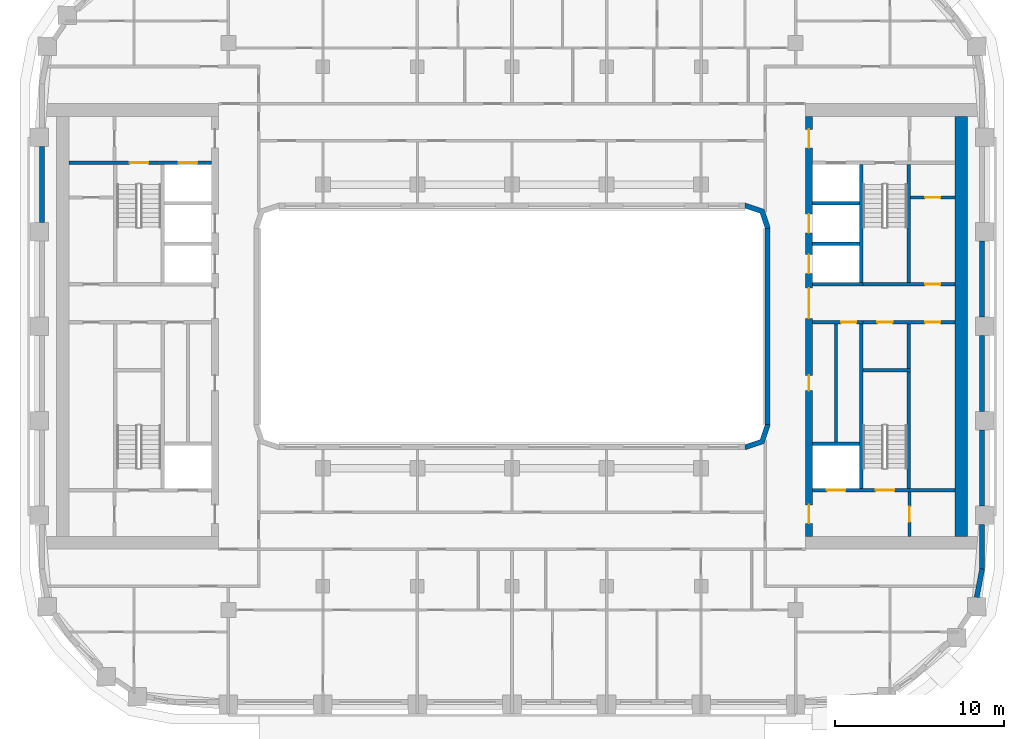
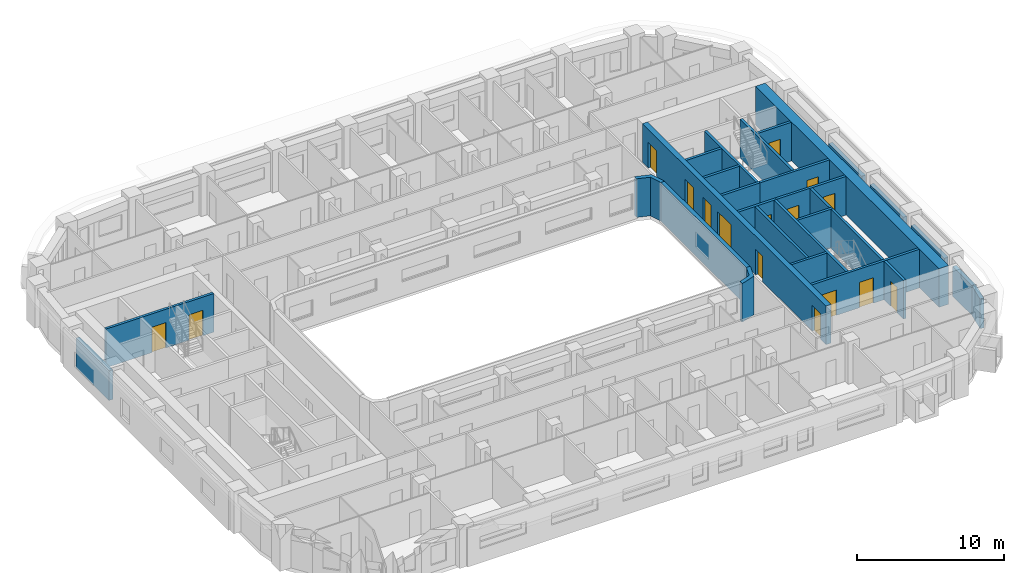
# One storey, part 6 of 22: 29 walls, 16 doors, 16 openings.
"""IFC4 building model written with IfcOpenShell, lengths in metres."""

from ifc_helpers import new_model, si_unit, direction, frame, frame_2d, origin, place, context, subcontext, project, spatial, polyline, rectangle, outline, extrude, material, layer, layer_set, type_object, element, fill, save


model = new_model("IFC4")

# Units and contexts
model_context = context("Model", 3, precision=1e-05, world=origin(), true_north=direction((0.0, 1.0)))
body_context = subcontext(model_context, "Body", "Model", "MODEL_VIEW")
ifc_project = project(units=[si_unit("LENGTHUNIT", "METRE"), si_unit("AREAUNIT", "SQUARE_METRE"), si_unit("VOLUMEUNIT", "CUBIC_METRE"), si_unit("PLANEANGLEUNIT", "RADIAN"), si_unit("MASSUNIT", "GRAM", prefix="KILO")], contexts=[model_context])

# Site, building, storey
site_placement = place(None, origin())
site = spatial("IfcSite", under=ifc_project, at=site_placement, CompositionType="ELEMENT")
building_placement = place(site_placement, origin())
building = spatial("IfcBuilding", under=site, at=building_placement, Name="Kiln Ring Residences", CompositionType="ELEMENT")
storey_placement = place(building_placement, frame((0.0, 0.0, 139.60009765625)))
storey = spatial("IfcBuildingStorey", under=building, at=storey_placement, Name="L35", CompositionType="ELEMENT", Elevation=139.60009765625)

# Wall
ifc_material_1 = material(Name="Gypsum board on steel studs", Category="steel")
ifc_layer_1 = layer(ifc_material_1, 0.199951171875)
ifc_layer_set_1 = layer_set([ifc_layer_1], Name="CORE-PARTITION-200")
wall_type_1 = type_object("IfcWallType", Name="CORE-PARTITION-200", PredefinedType="PARTITIONING", material=ifc_layer_set_1)
wall_1_placement = place(storey_placement, frame((23.5, -2.5, 0.0), z_axis=(0.0, 0.0, 1.0), x_axis=(0.0, 1.0, 0.0)))
element("IfcWall", 1, at=wall_1_placement, inside=storey, type_object=wall_type_1, Name="Core partition east L35 1", PredefinedType="PARTITIONING", context=body_context, shape_type="SweptSolid", body=[
    extrude(rectangle(XDim=2.64990234375, YDim=0.199951171875, at=frame_2d((1.324951171875, 0.0))), origin(), (0.0, 0.0, 1.0), 3.199951171875),
])

# Wall, openings, doors
wall_2_placement = place(storey_placement, frame((20.800048828125, 0.25, 0.0), z_axis=(0.0, 0.0, 1.0), x_axis=(1.0, 0.0, 0.0)))
wall_2 = element("IfcWall", 2, at=wall_2_placement, inside=storey, type_object=wall_type_1, Name="Core partition east L35 2", PredefinedType="PARTITIONING", context=body_context, shape_type="SweptSolid", body=[
    extrude(rectangle(XDim=5.449951171875, YDim=0.199951171875, at=frame_2d((2.72509765625, 0.0))), origin(), (0.0, 0.0, 1.0), 3.199951171875),
])
opening_1_placement = place(wall_2_placement, frame((0.85009765625, 0.0, 0.0)))
opening_1 = element("IfcOpeningElement", 3, at=opening_1_placement, cuts=wall_2, Name="Opening L35-CE14", PredefinedType="OPENING", context=body_context, shape_type="SweptSolid", body=[
    extrude(rectangle(XDim=0.89990234375, YDim=2.10009765625, at=frame_2d((0.449951171875, 1.050048828125))), frame((0.0, 0.10986328125, 0.0), z_axis=(0.0, -1.0, 0.0), x_axis=(1.0, 0.0, 0.0)), (0.0, 0.0, 1.0), 0.219970703125),
])
opening_2_placement = place(wall_2_placement, frame((3.675048828125, 0.0, 0.0)))
opening_2 = element("IfcOpeningElement", 4, at=opening_2_placement, cuts=wall_2, Name="Opening L35-CE15", PredefinedType="OPENING", context=body_context, shape_type="SweptSolid", body=[
    extrude(rectangle(XDim=0.89990234375, YDim=2.10009765625, at=frame_2d((0.449951171875, 1.050048828125))), frame((0.0, 0.10986328125, 0.0), z_axis=(0.0, -1.0, 0.0), x_axis=(1.0, 0.0, 0.0)), (0.0, 0.0, 1.0), 0.219970703125),
])
ifc_material_2 = material(Name="Steel door leaf", Category="steel")
door_type_1 = type_object("IfcDoorType", Name="CORE-DOOR-ROOM", OperationType="SINGLE_SWING_LEFT", PredefinedType="DOOR", material=ifc_material_2)
door_1_placement = place(opening_1_placement, origin())
door_1 = element("IfcDoor", 5, at=door_1_placement, inside=storey, type_object=door_type_1, Name="Refuse and recycling room L35-CE14", OperationType="SINGLE_SWING_LEFT", OverallHeight=2.10009765625, OverallWidth=0.89990234375, PredefinedType="DOOR", context=body_context, shape_type="SweptSolid", body=[
    extrude(rectangle(XDim=0.89990234375, YDim=2.10009765625, at=frame_2d((0.449951171875, 1.050048828125))), frame((0.0, 0.02490234375, 0.0), z_axis=(0.0, -1.0, 0.0), x_axis=(1.0, 0.0, 0.0)), (0.0, 0.0, 1.0), 0.050048828125),
])
fill(opening_1, door_1)
door_2_placement = place(opening_2_placement, origin())
door_2 = element("IfcDoor", 6, at=door_2_placement, inside=storey, type_object=door_type_1, Name="Water tank room L35-CE15", OperationType="SINGLE_SWING_RIGHT", OverallHeight=2.10009765625, OverallWidth=0.89990234375, PredefinedType="DOOR", context=body_context, shape_type="SweptSolid", body=[
    extrude(rectangle(XDim=0.89990234375, YDim=2.10009765625, at=frame_2d((0.449951171875, 1.050048828125))), frame((0.0, 0.02490234375, 0.0), z_axis=(0.0, -1.0, 0.0), x_axis=(1.0, 0.0, 0.0)), (0.0, 0.0, 1.0), 0.050048828125),
])
fill(opening_2, door_2)

# Wall
wall_3_placement = place(storey_placement, frame((19.199951171875, -6.85009765625, 0.0), z_axis=(0.0, 0.0, 1.0), x_axis=(0.0, 1.0, 0.0)))
element("IfcWall", 7, at=wall_3_placement, inside=storey, type_object=wall_type_1, Name="Core partition east L35 3", PredefinedType="PARTITIONING", context=body_context, shape_type="SweptSolid", body=[
    extrude(rectangle(XDim=7.0, YDim=0.199951171875, at=frame_2d((3.5, 0.0))), origin(), (0.0, 0.0, 1.0), 3.199951171875),
])

# Wall, opening, door
wall_4_placement = place(storey_placement, frame((23.550048828125, -12.449951171875, 0.0), z_axis=(0.0, 0.0, 1.0), x_axis=(0.0, 1.0, 0.0)))
wall_4 = element("IfcWall", 8, at=wall_4_placement, inside=storey, type_object=wall_type_1, Name="Core partition east L35 5", PredefinedType="PARTITIONING", context=body_context, shape_type="SweptSolid", body=[
    extrude(rectangle(XDim=2.64990234375, YDim=0.199951171875, at=frame_2d((1.324951171875, 0.0))), origin(), (0.0, 0.0, 1.0), 3.199951171875),
])
opening_3_placement = place(wall_4_placement, frame((0.875, 0.0, 0.0)))
opening_3 = element("IfcOpeningElement", 9, at=opening_3_placement, cuts=wall_4, Name="Opening L35-CE10", PredefinedType="OPENING", context=body_context, shape_type="SweptSolid", body=[
    extrude(rectangle(XDim=0.89990234375, YDim=2.10009765625, at=frame_2d((0.449951171875, 1.050048828125))), frame((0.0, 0.10986328125, 0.0), z_axis=(0.0, -1.0, 0.0), x_axis=(1.0, 0.0, 0.0)), (0.0, 0.0, 1.0), 0.219970703125),
])
door_3_placement = place(opening_3_placement, origin())
door_3 = element("IfcDoor", 10, at=door_3_placement, inside=storey, type_object=door_type_1, Name="Store L35-CE10", OperationType="SINGLE_SWING_LEFT", OverallHeight=2.10009765625, OverallWidth=0.89990234375, PredefinedType="DOOR", context=body_context, shape_type="SweptSolid", body=[
    extrude(rectangle(XDim=0.89990234375, YDim=2.10009765625, at=frame_2d((0.449951171875, 1.050048828125))), frame((0.0, 0.02490234375, 0.0), z_axis=(0.0, -1.0, 0.0), x_axis=(1.0, 0.0, 0.0)), (0.0, 0.0, 1.0), 0.050048828125),
])
fill(opening_3, door_3)

wall_5_placement = place(storey_placement, frame((23.60009765625, 7.639892578125, 0.0), z_axis=(0.0, 0.0, 1.0), x_axis=(1.0, 0.0, 0.0)))
wall_5 = element("IfcWall", 11, at=wall_5_placement, inside=storey, type_object=wall_type_1, Name="Core partition east L35 6", PredefinedType="PARTITIONING", context=body_context, shape_type="SweptSolid", body=[
    extrude(rectangle(XDim=2.64990234375, YDim=0.199951171875, at=frame_2d((1.324951171875, 0.0))), origin(), (0.0, 0.0, 1.0), 3.199951171875),
])
opening_4_placement = place(wall_5_placement, frame((0.875, 0.0, 0.0)))
opening_4 = element("IfcOpeningElement", 12, at=opening_4_placement, cuts=wall_5, Name="Opening L35-CE16", PredefinedType="OPENING", context=body_context, shape_type="SweptSolid", body=[
    extrude(rectangle(XDim=0.89990234375, YDim=2.10009765625, at=frame_2d((0.449951171875, 1.050048828125))), frame((0.0, 0.10986328125, 0.0), z_axis=(0.0, -1.0, 0.0), x_axis=(1.0, 0.0, 0.0)), (0.0, 0.0, 1.0), 0.219970703125),
])
door_4_placement = place(opening_4_placement, origin())
door_4 = element("IfcDoor", 13, at=door_4_placement, inside=storey, type_object=door_type_1, Name="UPS room L35-CE16", OperationType="SINGLE_SWING_RIGHT", OverallHeight=2.10009765625, OverallWidth=0.89990234375, PredefinedType="DOOR", context=body_context, shape_type="SweptSolid", body=[
    extrude(rectangle(XDim=0.89990234375, YDim=2.10009765625, at=frame_2d((0.449951171875, 1.050048828125))), frame((0.0, 0.02490234375, 0.0), z_axis=(0.0, -1.0, 0.0), x_axis=(1.0, 0.0, 0.0)), (0.0, 0.0, 1.0), 0.050048828125),
])
fill(opening_4, door_4)

# Wall
ifc_material_3 = material(Name="Gypsum shaft wall system")
ifc_layer_2 = layer(ifc_material_3, 0.199951171875)
ifc_layer_set_2 = layer_set([ifc_layer_2], Name="CORE-SHAFT-WALL-200")
wall_type_2 = type_object("IfcWallType", Name="CORE-SHAFT-WALL-200", PredefinedType="PARTITIONING", material=ifc_layer_set_2)
wall_6_placement = place(storey_placement, frame((17.800048828125, -6.949951171875, 0.0), z_axis=(0.0, 0.0, 1.0), x_axis=(1.0, 0.0, 0.0)))
element("IfcWall", 14, at=wall_6_placement, inside=storey, type_object=wall_type_2, Name="Core partition east L35 7", PredefinedType="PARTITIONING", context=body_context, shape_type="SweptSolid", body=[
    extrude(rectangle(XDim=2.800048828125, YDim=0.199951171875, at=frame_2d((1.39990234375, 0.0))), origin(), (0.0, 0.0, 1.0), 3.199951171875),
])

# Wall, opening, door
wall_7_placement = place(storey_placement, frame((17.800048828125, 0.25, 0.0), z_axis=(0.0, 0.0, 1.0), x_axis=(1.0, 0.0, 0.0)))
wall_7 = element("IfcWall", 15, at=wall_7_placement, inside=storey, type_object=wall_type_2, Name="Core partition east L35 8", PredefinedType="PARTITIONING", context=body_context, shape_type="SweptSolid", body=[
    extrude(rectangle(XDim=3.0, YDim=0.199951171875, at=frame_2d((1.5, 0.0))), origin(), (0.0, 0.0, 1.0), 3.199951171875),
])
opening_5_placement = place(wall_7_placement, frame((1.699951171875, 0.0, 0.0)))
opening_5 = element("IfcOpeningElement", 16, at=opening_5_placement, cuts=wall_7, Name="Opening L35-CE03", PredefinedType="OPENING", context=body_context, shape_type="SweptSolid", body=[
    extrude(rectangle(XDim=0.89990234375, YDim=2.10009765625, at=frame_2d((0.449951171875, 1.050048828125))), frame((0.0, 0.10986328125, 0.0), z_axis=(0.0, -1.0, 0.0), x_axis=(1.0, 0.0, 0.0)), (0.0, 0.0, 1.0), 0.219970703125),
])
door_5_placement = place(opening_5_placement, origin())
door_5 = element("IfcDoor", 17, at=door_5_placement, inside=storey, type_object=door_type_1, Name="Locker store L35-CE03", OperationType="SINGLE_SWING_RIGHT", OverallHeight=2.10009765625, OverallWidth=0.89990234375, PredefinedType="DOOR", context=body_context, shape_type="SweptSolid", body=[
    extrude(rectangle(XDim=0.89990234375, YDim=2.10009765625, at=frame_2d((0.449951171875, 1.050048828125))), frame((0.0, 0.02490234375, 0.0), z_axis=(0.0, -1.0, 0.0), x_axis=(1.0, 0.0, 0.0)), (0.0, 0.0, 1.0), 0.050048828125),
])
fill(opening_5, door_5)

# Walls
wall_8_placement = place(storey_placement, frame((17.800048828125, 2.5, 0.0), z_axis=(0.0, 0.0, 1.0), x_axis=(1.0, 0.0, 0.0)))
element("IfcWall", 18, at=wall_8_placement, inside=storey, type_object=wall_type_2, Name="Core partition east L35 9", PredefinedType="PARTITIONING", context=body_context, shape_type="SweptSolid", body=[
    extrude(rectangle(XDim=3.0, YDim=0.199951171875, at=frame_2d((1.5, 0.0))), origin(), (0.0, 0.0, 1.0), 3.199951171875),
])
for number, where, z_axis, x_axis, name in (
    (19, (17.800048828125, 4.89990234375, 0.0), (0.0, 0.0, 1.0), (1.0, 0.0, 0.0), "Core partition east L35 10"),
    (20, (17.800048828125, 7.300048828125, 0.0), (0.0, 0.0, 1.0), (1.0, 0.0, 0.0), "Core partition east L35 11"),
):
    element("IfcWall", number, at=place(storey_placement, frame(where, z_axis=z_axis, x_axis=x_axis)), inside=storey, type_object=wall_type_2, Name=name, PredefinedType="PARTITIONING", context=body_context, shape_type="SweptSolid", body=[
        extrude(rectangle(XDim=2.800048828125, YDim=0.199951171875, at=frame_2d((1.39990234375, 0.0))), origin(), (0.0, 0.0, 1.0), 3.199951171875),
    ])

# Wall, openings, doors
ifc_material_4 = material(Name="Concrete C40/50", Category="concrete")
ifc_layer_3 = layer(ifc_material_4, 0.199951171875)
ifc_layer_set_3 = layer_set([ifc_layer_3], Name="CORE-WALL-RC200")
wall_type_3 = type_object("IfcWallType", Name="CORE-WALL-RC200", PredefinedType="SHEAR", material=ifc_layer_set_3)
wall_9_placement = place(storey_placement, frame((-17.800048828125, 9.699951171875, 0.0), z_axis=(0.0, 0.0, 1.0), x_axis=(-1.0, 0.0, 0.0)))
wall_9 = element("IfcWall", 21, at=wall_9_placement, inside=storey, type_object=wall_type_3, Name="Core wall west L35 9", PredefinedType="SHEAR", context=body_context, shape_type="SweptSolid", body=[
    extrude(rectangle(XDim=8.449951171875, YDim=0.199951171875, at=frame_2d((4.22509765625, 0.0))), origin(), (0.0, 0.0, 1.0), 3.199951171875),
])
opening_6_placement = place(wall_9_placement, frame((0.85009765625, 0.0, 0.0)))
opening_6 = element("IfcOpeningElement", 22, at=opening_6_placement, cuts=wall_9, Name="Opening L35-CW06", PredefinedType="OPENING", context=body_context, shape_type="SweptSolid", body=[
    extrude(rectangle(XDim=1.10009765625, YDim=2.10009765625, at=frame_2d((0.550048828125, 1.050048828125))), frame((0.0, 0.10986328125, 0.0), z_axis=(0.0, -1.0, 0.0), x_axis=(1.0, 0.0, 0.0)), (0.0, 0.0, 1.0), 0.219970703125),
])
opening_7_placement = place(wall_9_placement, frame((3.75, 0.0, 0.0)))
opening_7 = element("IfcOpeningElement", 23, at=opening_7_placement, cuts=wall_9, Name="Opening L35-CW11", PredefinedType="OPENING", context=body_context, shape_type="SweptSolid", body=[
    extrude(rectangle(XDim=1.10009765625, YDim=2.10009765625, at=frame_2d((0.550048828125, 1.050048828125))), frame((0.0, 0.10986328125, 0.0), z_axis=(0.0, -1.0, 0.0), x_axis=(1.0, 0.0, 0.0)), (0.0, 0.0, 1.0), 0.219970703125),
])
ifc_material_5 = material(Name="Steel door leaf", Category="steel")
door_type_2 = type_object("IfcDoorType", Name="CORE-DOOR-LD", OperationType="DOUBLE_DOOR_SLIDING", PredefinedType="DOOR", material=ifc_material_5)
door_6_placement = place(opening_6_placement, origin())
door_6 = element("IfcDoor", 24, at=door_6_placement, inside=storey, type_object=door_type_2, Name="LD W-FF L35-CW06", OperationType="DOUBLE_DOOR_SLIDING", OverallHeight=2.10009765625, OverallWidth=1.10009765625, PredefinedType="DOOR", context=body_context, shape_type="SweptSolid", body=[
    extrude(rectangle(XDim=1.10009765625, YDim=2.10009765625, at=frame_2d((0.550048828125, 1.050048828125))), frame((0.0, 0.02490234375, 0.0), z_axis=(0.0, -1.0, 0.0), x_axis=(1.0, 0.0, 0.0)), (0.0, 0.0, 1.0), 0.050048828125),
])
fill(opening_6, door_6)
ifc_material_6 = material(Name="Steel door leaf", Category="steel")
door_type_3 = type_object("IfcDoorType", Name="CORE-DOOR-STAIR", OperationType="SINGLE_SWING_LEFT", PredefinedType="DOOR", material=ifc_material_6)
door_7_placement = place(opening_7_placement, origin())
door_7 = element("IfcDoor", 25, at=door_7_placement, inside=storey, type_object=door_type_3, Name="Stair W-STN L35-CW11", OperationType="SINGLE_SWING_LEFT", OverallHeight=2.10009765625, OverallWidth=1.10009765625, PredefinedType="DOOR", context=body_context, shape_type="SweptSolid", body=[
    extrude(rectangle(XDim=1.10009765625, YDim=2.10009765625, at=frame_2d((0.550048828125, 1.050048828125))), frame((0.0, 0.02490234375, 0.0), z_axis=(0.0, -1.0, 0.0), x_axis=(1.0, 0.0, 0.0)), (0.0, 0.0, 1.0), 0.050048828125),
])
fill(opening_7, door_7)

# Walls
wall_10_placement = place(storey_placement, frame((20.699951171875, 2.60009765625, 0.0), z_axis=(0.0, 0.0, 1.0), x_axis=(0.0, 1.0, 0.0)))
element("IfcWall", 26, at=wall_10_placement, inside=storey, type_object=wall_type_3, Name="Core wall east L35 1", PredefinedType="SHEAR", context=body_context, shape_type="SweptSolid", body=[
    extrude(rectangle(XDim=7.0, YDim=0.199951171875, at=frame_2d((3.5, 0.0))), origin(), (0.0, 0.0, 1.0), 3.199951171875),
])
wall_11_placement = place(storey_placement, frame((20.699951171875, -9.60009765625, 0.0), z_axis=(0.0, 0.0, 1.0), x_axis=(0.0, 1.0, 0.0)))
element("IfcWall", 27, at=wall_11_placement, inside=storey, type_object=wall_type_3, Name="Core wall east L35 2", PredefinedType="SHEAR", context=body_context, shape_type="SweptSolid", body=[
    extrude(rectangle(XDim=9.75, YDim=0.199951171875, at=frame_2d((4.875, 0.0))), origin(), (0.0, 0.0, 1.0), 3.199951171875),
])

# Wall, opening, door
wall_12_placement = place(storey_placement, frame((20.800048828125, 2.5, 0.0), z_axis=(0.0, 0.0, 1.0), x_axis=(1.0, 0.0, 0.0)))
wall_12 = element("IfcWall", 28, at=wall_12_placement, inside=storey, type_object=wall_type_3, Name="Core wall east L35 3", PredefinedType="SHEAR", context=body_context, shape_type="SweptSolid", body=[
    extrude(rectangle(XDim=5.449951171875, YDim=0.199951171875, at=frame_2d((2.72509765625, 0.0))), origin(), (0.0, 0.0, 1.0), 3.199951171875),
])
opening_8_placement = place(wall_12_placement, frame((3.675048828125, 0.0, 0.0)))
opening_8 = element("IfcOpeningElement", 29, at=opening_8_placement, cuts=wall_12, Name="Opening L35-CE17", PredefinedType="OPENING", context=body_context, shape_type="SweptSolid", body=[
    extrude(rectangle(XDim=0.89990234375, YDim=2.10009765625, at=frame_2d((0.449951171875, 1.050048828125))), frame((0.0, 0.10986328125, 0.0), z_axis=(0.0, -1.0, 0.0), x_axis=(1.0, 0.0, 0.0)), (0.0, 0.0, 1.0), 0.219970703125),
])
door_8_placement = place(opening_8_placement, origin())
door_8 = element("IfcDoor", 30, at=door_8_placement, inside=storey, type_object=door_type_1, Name="Electrical plant room L35-CE17", OperationType="SINGLE_SWING_LEFT", OverallHeight=2.10009765625, OverallWidth=0.89990234375, PredefinedType="DOOR", context=body_context, shape_type="SweptSolid", body=[
    extrude(rectangle(XDim=0.89990234375, YDim=2.10009765625, at=frame_2d((0.449951171875, 1.050048828125))), frame((0.0, 0.02490234375, 0.0), z_axis=(0.0, -1.0, 0.0), x_axis=(1.0, 0.0, 0.0)), (0.0, 0.0, 1.0), 0.050048828125),
])
fill(opening_8, door_8)

# Wall, openings, doors
wall_13_placement = place(storey_placement, frame((17.800048828125, -9.699951171875, 0.0), z_axis=(0.0, 0.0, 1.0), x_axis=(1.0, 0.0, 0.0)))
wall_13 = element("IfcWall", 31, at=wall_13_placement, inside=storey, type_object=wall_type_3, Name="Core wall east L35 8", PredefinedType="SHEAR", context=body_context, shape_type="SweptSolid", body=[
    extrude(rectangle(XDim=8.449951171875, YDim=0.199951171875, at=frame_2d((4.22509765625, 0.0))), origin(), (0.0, 0.0, 1.0), 3.199951171875),
])
opening_9_placement = place(wall_13_placement, frame((0.85009765625, 0.0, 0.0)))
opening_9 = element("IfcOpeningElement", 32, at=opening_9_placement, cuts=wall_13, Name="Opening L35-CE01", PredefinedType="OPENING", context=body_context, shape_type="SweptSolid", body=[
    extrude(rectangle(XDim=1.10009765625, YDim=2.10009765625, at=frame_2d((0.550048828125, 1.050048828125))), frame((0.0, 0.10986328125, 0.0), z_axis=(0.0, -1.0, 0.0), x_axis=(1.0, 0.0, 0.0)), (0.0, 0.0, 1.0), 0.219970703125),
])
opening_10_placement = place(wall_13_placement, frame((3.75, 0.0, 0.0)))
opening_10 = element("IfcOpeningElement", 33, at=opening_10_placement, cuts=wall_13, Name="Opening L35-CE12", PredefinedType="OPENING", context=body_context, shape_type="SweptSolid", body=[
    extrude(rectangle(XDim=1.10009765625, YDim=2.10009765625, at=frame_2d((0.550048828125, 1.050048828125))), frame((0.0, 0.10986328125, 0.0), z_axis=(0.0, -1.0, 0.0), x_axis=(1.0, 0.0, 0.0)), (0.0, 0.0, 1.0), 0.219970703125),
])
door_9_placement = place(opening_9_placement, origin())
door_9 = element("IfcDoor", 34, at=door_9_placement, inside=storey, type_object=door_type_2, Name="LD E-SV L35-CE01", OperationType="DOUBLE_DOOR_SLIDING", OverallHeight=2.10009765625, OverallWidth=1.10009765625, PredefinedType="DOOR", context=body_context, shape_type="SweptSolid", body=[
    extrude(rectangle(XDim=1.10009765625, YDim=2.10009765625, at=frame_2d((0.550048828125, 1.050048828125))), frame((0.0, 0.02490234375, 0.0), z_axis=(0.0, -1.0, 0.0), x_axis=(1.0, 0.0, 0.0)), (0.0, 0.0, 1.0), 0.050048828125),
])
fill(opening_9, door_9)
door_10_placement = place(opening_10_placement, origin())
door_10 = element("IfcDoor", 35, at=door_10_placement, inside=storey, type_object=door_type_3, Name="Stair E-STS L35-CE12", OperationType="SINGLE_SWING_RIGHT", OverallHeight=2.10009765625, OverallWidth=1.10009765625, PredefinedType="DOOR", context=body_context, shape_type="SweptSolid", body=[
    extrude(rectangle(XDim=1.10009765625, YDim=2.10009765625, at=frame_2d((0.550048828125, 1.050048828125))), frame((0.0, 0.02490234375, 0.0), z_axis=(0.0, -1.0, 0.0), x_axis=(1.0, 0.0, 0.0)), (0.0, 0.0, 1.0), 0.050048828125),
])
fill(opening_10, door_10)

# Walls
wall_14_placement = place(storey_placement, frame((23.5, 2.60009765625, 0.0), z_axis=(0.0, 0.0, 1.0), x_axis=(0.0, 1.0, 0.0)))
element("IfcWall", 36, at=wall_14_placement, inside=storey, type_object=wall_type_3, Name="Core wall east L35 10", PredefinedType="SHEAR", context=body_context, shape_type="SweptSolid", body=[
    extrude(rectangle(XDim=7.0, YDim=0.199951171875, at=frame_2d((3.5, 0.0))), origin(), (0.0, 0.0, 1.0), 3.199951171875),
])
wall_15_placement = place(storey_placement, frame((23.5, -9.60009765625, 0.0), z_axis=(0.0, 0.0, 1.0), x_axis=(0.0, 1.0, 0.0)))
element("IfcWall", 37, at=wall_15_placement, inside=storey, type_object=wall_type_3, Name="Core wall east L35 11", PredefinedType="SHEAR", context=body_context, shape_type="SweptSolid", body=[
    extrude(rectangle(XDim=6.900146484375, YDim=0.199951171875, at=frame_2d((3.4501953125, 0.0))), origin(), (0.0, 0.0, 1.0), 3.199951171875),
])
wall_16_placement = place(storey_placement, frame((20.800048828125, -2.60009765625, 0.0), z_axis=(0.0, 0.0, 1.0), x_axis=(1.0, 0.0, 0.0)))
element("IfcWall", 38, at=wall_16_placement, inside=storey, type_object=wall_type_3, Name="Core wall east L35 12", PredefinedType="SHEAR", context=body_context, shape_type="SweptSolid", body=[
    extrude(rectangle(XDim=2.800048828125, YDim=0.199951171875, at=frame_2d((1.39990234375, 0.0))), origin(), (0.0, 0.0, 1.0), 3.199951171875),
])

# Wall, openings, doors
ifc_material_7 = material(Name="Concrete C60/75", Category="concrete")
ifc_layer_4 = layer(ifc_material_7, 0.39990234375)
ifc_layer_set_4 = layer_set([ifc_layer_4], Name="CORE-WALL-RC400")
wall_type_4 = type_object("IfcWallType", Name="CORE-WALL-RC400", PredefinedType="SHEAR", material=ifc_layer_set_4)
wall_17_placement = place(storey_placement, frame((17.60009765625, -12.449951171875, 0.0), z_axis=(0.0, 0.0, 1.0), x_axis=(0.0, 1.0, 0.0)))
wall_17 = element("IfcWall", 39, at=wall_17_placement, inside=storey, type_object=wall_type_4, Name="Core wall east L35 6", PredefinedType="SHEAR", context=body_context, shape_type="SweptSolid", body=[
    extrude(rectangle(XDim=24.89990234375, YDim=0.39990234375, at=frame_2d((12.449951171875, 0.0))), origin(), (0.0, 0.0, 1.0), 3.199951171875),
])
opening_11_placement = place(wall_17_placement, frame((8.64990234375, 0.0, 0.0)))
opening_11 = element("IfcOpeningElement", 40, at=opening_11_placement, cuts=wall_17, Name="Opening L35-CE02", PredefinedType="OPENING", context=body_context, shape_type="SweptSolid", body=[
    extrude(rectangle(XDim=0.89990234375, YDim=2.10009765625, at=frame_2d((0.449951171875, 1.050048828125))), frame((0.0, 0.2099609375, 0.0), z_axis=(0.0, -1.0, 0.0), x_axis=(1.0, 0.0, 0.0)), (0.0, 0.0, 1.0), 0.419921875),
])
opening_12_placement = place(wall_17_placement, frame((15.60009765625, 0.0, 0.0)))
opening_12 = element("IfcOpeningElement", 41, at=opening_12_placement, cuts=wall_17, Name="Opening L35-CE04", PredefinedType="OPENING", context=body_context, shape_type="SweptSolid", body=[
    extrude(rectangle(XDim=1.10009765625, YDim=2.10009765625, at=frame_2d((0.550048828125, 1.050048828125))), frame((0.0, 0.2099609375, 0.0), z_axis=(0.0, -1.0, 0.0), x_axis=(1.0, 0.0, 0.0)), (0.0, 0.0, 1.0), 0.419921875),
])
opening_13_placement = place(wall_17_placement, frame((18.0, 0.0, 0.0)))
opening_13 = element("IfcOpeningElement", 42, at=opening_13_placement, cuts=wall_17, Name="Opening L35-CE05", PredefinedType="OPENING", context=body_context, shape_type="SweptSolid", body=[
    extrude(rectangle(XDim=1.10009765625, YDim=2.10009765625, at=frame_2d((0.550048828125, 1.050048828125))), frame((0.0, 0.2099609375, 0.0), z_axis=(0.0, -1.0, 0.0), x_axis=(1.0, 0.0, 0.0)), (0.0, 0.0, 1.0), 0.419921875),
])
opening_14_placement = place(wall_17_placement, frame((23.02490234375, 0.0, 0.0)))
opening_14 = element("IfcOpeningElement", 43, at=opening_14_placement, cuts=wall_17, Name="Opening L35-CE07", PredefinedType="OPENING", context=body_context, shape_type="SweptSolid", body=[
    extrude(rectangle(XDim=1.10009765625, YDim=2.10009765625, at=frame_2d((0.550048828125, 1.050048828125))), frame((0.0, 0.2099609375, 0.0), z_axis=(0.0, -1.0, 0.0), x_axis=(1.0, 0.0, 0.0)), (0.0, 0.0, 1.0), 0.419921875),
])
opening_15_placement = place(wall_17_placement, frame((0.77490234375, 0.0, 0.0)))
opening_15 = element("IfcOpeningElement", 44, at=opening_15_placement, cuts=wall_17, Name="Opening L35-CE08", PredefinedType="OPENING", context=body_context, shape_type="SweptSolid", body=[
    extrude(rectangle(XDim=1.10009765625, YDim=2.10009765625, at=frame_2d((0.550048828125, 1.050048828125))), frame((0.0, 0.2099609375, 0.0), z_axis=(0.0, -1.0, 0.0), x_axis=(1.0, 0.0, 0.0)), (0.0, 0.0, 1.0), 0.419921875),
])
opening_16_placement = place(wall_17_placement, frame((12.925048828125, 0.0, 0.0)))
opening_16 = element("IfcOpeningElement", 45, at=opening_16_placement, cuts=wall_17, Name="Opening L35-CE13", PredefinedType="OPENING", context=body_context, shape_type="SweptSolid", body=[
    extrude(rectangle(XDim=1.800048828125, YDim=2.10009765625, at=frame_2d((0.89990234375, 1.050048828125))), frame((0.0, 0.2099609375, 0.0), z_axis=(0.0, -1.0, 0.0), x_axis=(1.0, 0.0, 0.0)), (0.0, 0.0, 1.0), 0.419921875),
])
door_11_placement = place(opening_12_placement, origin())
door_11 = element("IfcDoor", 46, at=door_11_placement, inside=storey, type_object=door_type_2, Name="LD E-M1 L35-CE04", OperationType="DOUBLE_DOOR_SLIDING", OverallHeight=2.10009765625, OverallWidth=1.10009765625, PredefinedType="DOOR", context=body_context, shape_type="SweptSolid", body=[
    extrude(rectangle(XDim=1.10009765625, YDim=2.10009765625, at=frame_2d((0.550048828125, 1.050048828125))), frame((0.0, 0.02490234375, 0.0), z_axis=(0.0, -1.0, 0.0), x_axis=(1.0, 0.0, 0.0)), (0.0, 0.0, 1.0), 0.050048828125),
])
fill(opening_12, door_11)
door_12_placement = place(opening_13_placement, origin())
door_12 = element("IfcDoor", 47, at=door_12_placement, inside=storey, type_object=door_type_2, Name="LD E-M2 L35-CE05", OperationType="DOUBLE_DOOR_SLIDING", OverallHeight=2.10009765625, OverallWidth=1.10009765625, PredefinedType="DOOR", context=body_context, shape_type="SweptSolid", body=[
    extrude(rectangle(XDim=1.10009765625, YDim=2.10009765625, at=frame_2d((0.550048828125, 1.050048828125))), frame((0.0, 0.02490234375, 0.0), z_axis=(0.0, -1.0, 0.0), x_axis=(1.0, 0.0, 0.0)), (0.0, 0.0, 1.0), 0.050048828125),
])
fill(opening_13, door_12)
ifc_material_8 = material(Name="Steel door leaf", Category="steel")
door_type_4 = type_object("IfcDoorType", Name="CORE-DOOR-LOBBY", OperationType="SINGLE_SWING_LEFT", PredefinedType="DOOR", material=ifc_material_8)
door_13_placement = place(opening_14_placement, origin())
door_13 = element("IfcDoor", 48, at=door_13_placement, inside=storey, type_object=door_type_4, Name="FFL L35-CE07", OperationType="SINGLE_SWING_LEFT", OverallHeight=2.10009765625, OverallWidth=1.10009765625, PredefinedType="DOOR", context=body_context, shape_type="SweptSolid", body=[
    extrude(rectangle(XDim=1.10009765625, YDim=2.10009765625, at=frame_2d((0.550048828125, 1.050048828125))), frame((0.0, 0.02490234375, 0.0), z_axis=(0.0, -1.0, 0.0), x_axis=(1.0, 0.0, 0.0)), (0.0, 0.0, 1.0), 0.050048828125),
])
fill(opening_14, door_13)
door_14_placement = place(opening_15_placement, origin())
door_14 = element("IfcDoor", 49, at=door_14_placement, inside=storey, type_object=door_type_4, Name="SVL L35-CE08", OperationType="SINGLE_SWING_RIGHT", OverallHeight=2.10009765625, OverallWidth=1.10009765625, PredefinedType="DOOR", context=body_context, shape_type="SweptSolid", body=[
    extrude(rectangle(XDim=1.10009765625, YDim=2.10009765625, at=frame_2d((0.550048828125, 1.050048828125))), frame((0.0, 0.02490234375, 0.0), z_axis=(0.0, -1.0, 0.0), x_axis=(1.0, 0.0, 0.0)), (0.0, 0.0, 1.0), 0.050048828125),
])
fill(opening_15, door_14)
ifc_material_9 = material(Name="Steel door leaf", Category="steel")
door_type_5 = type_object("IfcDoorType", Name="CORE-DOOR-PASS", OperationType="DOUBLE_DOOR_SINGLE_SWING", PredefinedType="DOOR", material=ifc_material_9)
door_15_placement = place(opening_16_placement, origin())
door_15 = element("IfcDoor", 50, at=door_15_placement, inside=storey, type_object=door_type_5, Name="Core passage L35-CE13", OperationType="DOUBLE_DOOR_SINGLE_SWING", OverallHeight=2.10009765625, OverallWidth=1.800048828125, PredefinedType="DOOR", context=body_context, shape_type="SweptSolid", body=[
    extrude(rectangle(XDim=1.800048828125, YDim=2.10009765625, at=frame_2d((0.89990234375, 1.050048828125))), frame((0.0, 0.02490234375, 0.0), z_axis=(0.0, -1.0, 0.0), x_axis=(1.0, 0.0, 0.0)), (0.0, 0.0, 1.0), 0.050048828125),
])
fill(opening_16, door_15)
door_16_placement = place(opening_11_placement, origin())
door_16 = element("IfcDoor", 51, at=door_16_placement, inside=storey, type_object=door_type_1, Name="Storage room L35-CE02", OperationType="SINGLE_SWING_LEFT", OverallHeight=2.10009765625, OverallWidth=0.89990234375, PredefinedType="DOOR", context=body_context, shape_type="SweptSolid", body=[
    extrude(rectangle(XDim=0.89990234375, YDim=2.10009765625, at=frame_2d((0.449951171875, 1.050048828125))), frame((0.0, 0.02490234375, 0.0), z_axis=(0.0, -1.0, 0.0), x_axis=(1.0, 0.0, 0.0)), (0.0, 0.0, 1.0), 0.050048828125),
])
fill(opening_11, door_16)

# Walls
ifc_material_10 = material(Name="Concrete C60/75", Category="concrete")
ifc_layer_5 = layer(ifc_material_10, 0.75)
ifc_layer_set_5 = layer_set([ifc_layer_5], Name="CORE-WALL-RC750")
wall_type_5 = type_object("IfcWallType", Name="CORE-WALL-RC750", PredefinedType="SHEAR", material=ifc_layer_set_5)
wall_18_placement = place(storey_placement, frame((26.625, -12.449951171875, 0.0), z_axis=(0.0, 0.0, 1.0), x_axis=(0.0, 1.0, 0.0)))
element("IfcWall", 52, at=wall_18_placement, inside=storey, type_object=wall_type_5, Name="Core wall east L35 7", PredefinedType="SHEAR", context=body_context, shape_type="SweptSolid", body=[
    extrude(rectangle(XDim=24.89990234375, YDim=0.75, at=frame_2d((12.449951171875, 0.0))), origin(), (0.0, 0.0, 1.0), 3.199951171875),
])
ifc_material_11 = material(Name="Brick masonry, dark clay brick", Category="masonry")
ifc_layer_6 = layer(ifc_material_11, 0.300048828125)
ifc_layer_set_6 = layer_set([ifc_layer_6], Name="EW-300 BRICK WALL")
wall_type_6 = type_object("IfcWallType", Name="EW-300 BRICK WALL", PredefinedType="SOLIDWALL", material=ifc_layer_set_6)
wall_19_placement = place(storey_placement, frame((27.532958984375, -16.0478515625, 0.0), z_axis=(0.0, 0.0, 1.0), x_axis=(0.187302784601, 0.982302227871, 0.0)))
element("IfcWall", 53, at=wall_19_placement, inside=storey, type_object=wall_type_6, Name="Facade wall L35 16", PredefinedType="SOLIDWALL", context=body_context, shape_type="SweptSolid", body=[
    extrude(rectangle(XDim=1.706298828125, YDim=0.300048828125, at=frame_2d((0.85302734375, 0.0))), origin(), (0.0, 0.0, 1.0), 2.449951171875),
])
wall_20_placement = place(storey_placement, frame((27.85009765625, -14.39990234375, 0.0), z_axis=(0.0, 0.0, 1.0), x_axis=(0.0, 1.0, 0.0)))
element("IfcWall", 54, at=wall_20_placement, inside=storey, type_object=wall_type_6, Name="Facade wall L35 17", PredefinedType="SOLIDWALL", context=body_context, shape_type="SweptSolid", body=[
    extrude(rectangle(XDim=2.64990234375, YDim=0.300048828125, at=frame_2d((1.324951171875, 0.0))), origin(), (0.0, 0.0, 1.0), 2.449951171875),
])
for number, where, z_axis, x_axis, name in (
    (55, (27.85009765625, -10.64990234375, 0.0), (0.0, 0.0, 1.0), (0.0, 1.0, 0.0), "Facade wall L35 18"),
    (56, (27.85009765625, -5.050048828125, 0.0), (0.0, 0.0, 1.0), (0.0, 1.0, 0.0), "Facade wall L35 19"),
    (57, (27.85009765625, 0.550048828125, 0.0), (0.0, 0.0, 1.0), (0.0, 1.0, 0.0), "Facade wall L35 20"),
    (58, (-27.85009765625, 10.64990234375, 0.0), (0.0, 0.0, 1.0), (0.0, -1.0, 0.0), "Facade wall L35 42"),
):
    element("IfcWall", number, at=place(storey_placement, frame(where, z_axis=z_axis, x_axis=x_axis)), inside=storey, type_object=wall_type_6, Name=name, PredefinedType="SOLIDWALL", context=body_context, shape_type="SweptSolid", body=[
        extrude(rectangle(XDim=4.5, YDim=0.300048828125, at=frame_2d((2.25, 0.0))), origin(), (0.0, 0.0, 1.0), 2.449951171875),
    ])
wall_21_placement = place(storey_placement, frame((15.14990234375, 5.800048828125, 0.0), z_axis=(0.0, 0.0, 1.0), x_axis=(0.0, -1.0, 0.0)))
element("IfcWall", 59, at=wall_21_placement, inside=storey, type_object=wall_type_6, Name="Facade wall L35 51", PredefinedType="SOLIDWALL", context=body_context, shape_type="SweptSolid", body=[
    extrude(rectangle(XDim=11.60009765625, YDim=0.300048828125, at=frame_2d((5.800048828125, 0.0))), origin(), (0.0, 0.0, 1.0), 3.199951171875),
])
placement = place(storey_placement, origin())
element("IfcWall", 60, at=placement, inside=storey, type_object=wall_type_6, Name="Corner wall L35 2", PredefinedType="SOLIDWALL", context=body_context, shape_type="SweptSolid", body=[
    extrude(outline(polyline([(14.937255859375, 6.937255859375), (13.8486328125, 7.300048828125), (13.800048828125, 7.300048828125), (13.800048828125, 7.0), (14.699951171875, 6.699951171875), (15.0, 5.800048828125), (15.300048828125, 5.800048828125), (15.300048828125, 5.8486328125), (14.937255859375, 6.937255859375)])), origin(), (0.0, 0.0, 1.0), 3.199951171875),
])
element("IfcWall", 61, at=placement, inside=storey, type_object=wall_type_6, Name="Corner wall L35 3", PredefinedType="SOLIDWALL", context=body_context, shape_type="SweptSolid", body=[
    extrude(outline(polyline([(14.937255859375, -6.937255859375), (15.300048828125, -5.8486328125), (15.300048828125, -5.800048828125), (15.0, -5.800048828125), (14.699951171875, -6.699951171875), (13.800048828125, -7.0), (13.800048828125, -7.300048828125), (13.8486328125, -7.300048828125), (14.937255859375, -6.937255859375)])), origin(), (0.0, 0.0, 1.0), 3.199951171875),
])

save(model, "model.ifc")
